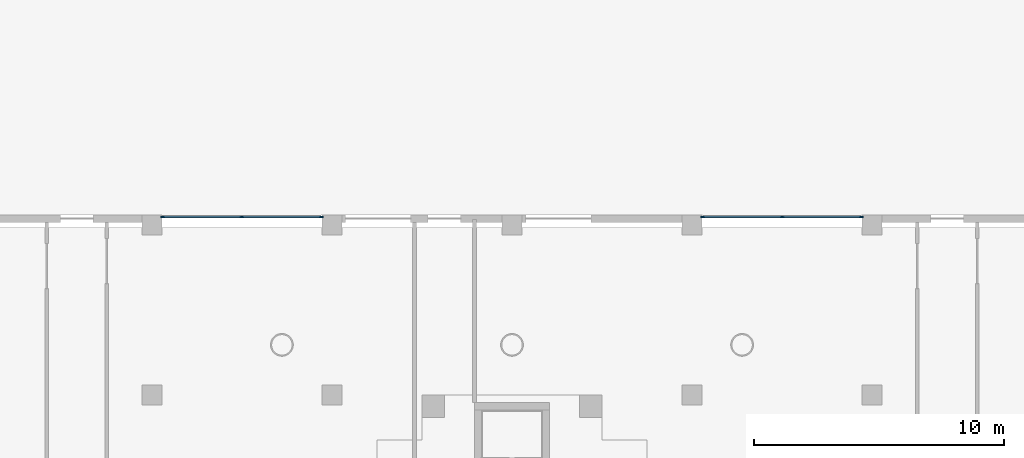
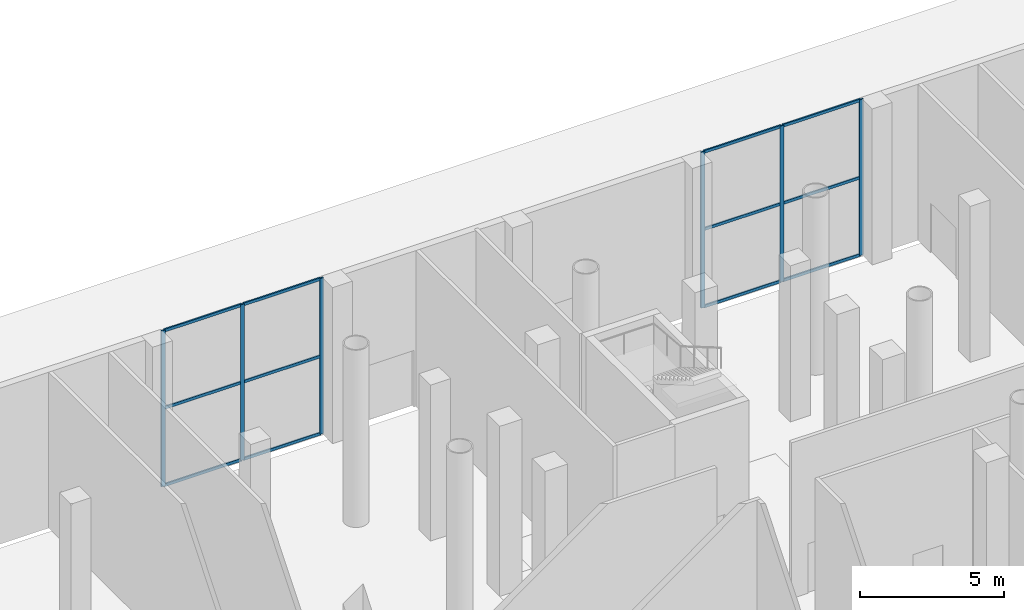
# One storey, part 10 of 44: 18 members, 2 elements without a shape of their own.
"""IFC4 building model written with IfcOpenShell, lengths in metres."""

from ifc_helpers import new_model, si_unit, direction, frame, origin, origin_2d, place, context, subcontext, project, spatial, rectangle, extrude, material, material_profile, profile_set, type_object, element, aggregate, save


model = new_model("IFC4")

# Units and contexts
model_context = context("Model", 3, precision=1e-05, world=origin(), true_north=direction((0.0, 1.0)))
body_context = subcontext(model_context, "Body", "Model", "MODEL_VIEW")
ifc_project = project(units=[si_unit("LENGTHUNIT", "METRE"), si_unit("AREAUNIT", "SQUARE_METRE"), si_unit("VOLUMEUNIT", "CUBIC_METRE"), si_unit("PLANEANGLEUNIT", "RADIAN"), si_unit("MASSUNIT", "GRAM", prefix="KILO")], contexts=[model_context])

# Site, building, storey
site_placement = place(None, origin())
site = spatial("IfcSite", under=ifc_project, at=site_placement, CompositionType="ELEMENT")
building_placement = place(site_placement, origin())
building = spatial("IfcBuilding", under=site, at=building_placement, Name="Fustian Cross Tower", CompositionType="ELEMENT")
storey_placement = place(building_placement, origin())
storey = spatial("IfcBuildingStorey", under=building, at=storey_placement, Name="L00", CompositionType="ELEMENT", Elevation=0.0)

# Curtain wall, members
ifc_material_1 = material(Name="Glass", Category="glass")
curtain_wall_type = type_object("IfcCurtainWallType", Name="CW3 CURTAIN WALL", PredefinedType="NOTDEFINED", material=ifc_material_1)
curtain_wall_1_placement = place(storey_placement, origin())
curtain_wall_1 = element("IfcCurtainWall", 1, at=curtain_wall_1_placement, inside=storey, type_object=curtain_wall_type, Name="Curtain wall CW3", PredefinedType="NOTDEFINED")
ifc_material_2 = material(Name="Aluminium alloy 6063", Category="aluminium")
ifc_material_profile_1 = material_profile(ifc_material_2, rectangle(XDim=0.06005859375, YDim=0.159912109375, at=origin_2d()), Name="CW3 MULLION 60x160")
ifc_profile_set_1 = profile_set([ifc_material_profile_1], Name="Aluminium alloy 6063")
member_type_1 = type_object("IfcMemberType", Name="CW3 MULLION 60x160", PredefinedType="MULLION", material=ifc_profile_set_1)
member_1_placement = place(storey_placement, frame((13.969970703125, 50.320068359375, 0.0), z_axis=(0.0, 0.0, 1.0), x_axis=(0.0, -1.0, 0.0)))
member_1 = element("IfcMember", 2, at=member_1_placement, type_object=member_type_1, Name="CW3 mullion 1", PredefinedType="MULLION", context=body_context, shape_type="SweptSolid", body=[
    extrude(rectangle(XDim=0.06005859375, YDim=0.159912109375, at=origin_2d()), origin(), (0.0, 0.0, 1.0), 6.60009765625),
])
member_2_placement = place(storey_placement, frame((10.800048828125, 50.320068359375, 0.0), z_axis=(0.0, 0.0, 1.0), x_axis=(0.0, -1.0, 0.0)))
member_2 = element("IfcMember", 3, at=member_2_placement, type_object=member_type_1, Name="CW3 mullion 2", PredefinedType="MULLION", context=body_context, shape_type="SweptSolid", body=[
    extrude(rectangle(XDim=0.06005859375, YDim=0.159912109375, at=origin_2d()), origin(), (0.0, 0.0, 1.0), 6.60009765625),
])
member_3_placement = place(storey_placement, frame((7.6298828125, 50.320068359375, 0.0), z_axis=(0.0, 0.0, 1.0), x_axis=(0.0, -1.0, 0.0)))
member_3 = element("IfcMember", 4, at=member_3_placement, type_object=member_type_1, Name="CW3 mullion 3", PredefinedType="MULLION", context=body_context, shape_type="SweptSolid", body=[
    extrude(rectangle(XDim=0.06005859375, YDim=0.159912109375, at=origin_2d()), origin(), (0.0, 0.0, 1.0), 6.60009765625),
])

curtain_wall_2_placement = place(storey_placement, origin())
curtain_wall_2 = element("IfcCurtainWall", 5, at=curtain_wall_2_placement, inside=storey, type_object=curtain_wall_type, Name="Curtain wall CW3", PredefinedType="NOTDEFINED")
member_4_placement = place(storey_placement, frame((-7.6298828125, 50.320068359375, 0.0), z_axis=(0.0, 0.0, 1.0), x_axis=(0.0, -1.0, 0.0)))
member_4 = element("IfcMember", 6, at=member_4_placement, type_object=member_type_1, Name="CW3 mullion 1", PredefinedType="MULLION", context=body_context, shape_type="SweptSolid", body=[
    extrude(rectangle(XDim=0.06005859375, YDim=0.159912109375, at=origin_2d()), origin(), (0.0, 0.0, 1.0), 6.60009765625),
])
member_5_placement = place(storey_placement, frame((-10.800048828125, 50.320068359375, 0.0), z_axis=(0.0, 0.0, 1.0), x_axis=(0.0, -1.0, 0.0)))
member_5 = element("IfcMember", 7, at=member_5_placement, type_object=member_type_1, Name="CW3 mullion 2", PredefinedType="MULLION", context=body_context, shape_type="SweptSolid", body=[
    extrude(rectangle(XDim=0.06005859375, YDim=0.159912109375, at=origin_2d()), origin(), (0.0, 0.0, 1.0), 6.60009765625),
])
member_6_placement = place(storey_placement, frame((-13.969970703125, 50.320068359375, 0.0), z_axis=(0.0, 0.0, 1.0), x_axis=(0.0, -1.0, 0.0)))
member_6 = element("IfcMember", 8, at=member_6_placement, type_object=member_type_1, Name="CW3 mullion 3", PredefinedType="MULLION", context=body_context, shape_type="SweptSolid", body=[
    extrude(rectangle(XDim=0.06005859375, YDim=0.159912109375, at=origin_2d()), origin(), (0.0, 0.0, 1.0), 6.60009765625),
])

# Member
ifc_material_3 = material(Name="Aluminium alloy 6063", Category="aluminium")
ifc_material_profile_2 = material_profile(ifc_material_3, rectangle(XDim=0.06005859375, YDim=0.1201171875, at=origin_2d()), Name="CW3 TRANSOM 60x120")
ifc_profile_set_2 = profile_set([ifc_material_profile_2], Name="Aluminium alloy 6063")
member_type_2 = type_object("IfcMemberType", Name="CW3 TRANSOM 60x120", PredefinedType="USERDEFINED", material=ifc_profile_set_2)
member_7_placement = place(storey_placement, frame((13.93994140625, 50.320068359375, 0.030029296875), z_axis=(-1.0, 0.0, 0.0), x_axis=(0.0, -1.0, 0.0)))
member_7 = element("IfcMember", 9, at=member_7_placement, type_object=member_type_2, Name="CW3 transom 1.1", ObjectType="TRANSOM", PredefinedType="USERDEFINED", context=body_context, shape_type="SweptSolid", body=[
    extrude(rectangle(XDim=0.06005859375, YDim=0.1201171875, at=origin_2d()), origin(), (0.0, 0.0, 1.0), 3.10986328125),
])

member_8_placement = place(storey_placement, frame((13.93994140625, 50.320068359375, 3.300048828125), z_axis=(-1.0, 0.0, 0.0), x_axis=(0.0, -1.0, 0.0)))
member_8 = element("IfcMember", 10, at=member_8_placement, type_object=member_type_2, Name="CW3 transom 1.2", ObjectType="TRANSOM", PredefinedType="USERDEFINED", context=body_context, shape_type="SweptSolid", body=[
    extrude(rectangle(XDim=0.06005859375, YDim=0.1201171875, at=origin_2d()), origin(), (0.0, 0.0, 1.0), 3.10986328125),
])

member_9_placement = place(storey_placement, frame((13.93994140625, 50.320068359375, 6.570068359375), z_axis=(-1.0, 0.0, 0.0), x_axis=(0.0, -1.0, 0.0)))
member_9 = element("IfcMember", 11, at=member_9_placement, type_object=member_type_2, Name="CW3 transom 1.3", ObjectType="TRANSOM", PredefinedType="USERDEFINED", context=body_context, shape_type="SweptSolid", body=[
    extrude(rectangle(XDim=0.06005859375, YDim=0.1201171875, at=origin_2d()), origin(), (0.0, 0.0, 1.0), 3.10986328125),
])

member_10_placement = place(storey_placement, frame((10.77001953125, 50.320068359375, 0.030029296875), z_axis=(-1.0, 0.0, 0.0), x_axis=(0.0, -1.0, 0.0)))
member_10 = element("IfcMember", 12, at=member_10_placement, type_object=member_type_2, Name="CW3 transom 2.1", ObjectType="TRANSOM", PredefinedType="USERDEFINED", context=body_context, shape_type="SweptSolid", body=[
    extrude(rectangle(XDim=0.06005859375, YDim=0.1201171875, at=origin_2d()), origin(), (0.0, 0.0, 1.0), 3.110107421875),
])

member_11_placement = place(storey_placement, frame((10.77001953125, 50.320068359375, 3.300048828125), z_axis=(-1.0, 0.0, 0.0), x_axis=(0.0, -1.0, 0.0)))
member_11 = element("IfcMember", 13, at=member_11_placement, type_object=member_type_2, Name="CW3 transom 2.2", ObjectType="TRANSOM", PredefinedType="USERDEFINED", context=body_context, shape_type="SweptSolid", body=[
    extrude(rectangle(XDim=0.06005859375, YDim=0.1201171875, at=origin_2d()), origin(), (0.0, 0.0, 1.0), 3.110107421875),
])

member_12_placement = place(storey_placement, frame((10.77001953125, 50.320068359375, 6.570068359375), z_axis=(-1.0, 0.0, 0.0), x_axis=(0.0, -1.0, 0.0)))
member_12 = element("IfcMember", 14, at=member_12_placement, type_object=member_type_2, Name="CW3 transom 2.3", ObjectType="TRANSOM", PredefinedType="USERDEFINED", context=body_context, shape_type="SweptSolid", body=[
    extrude(rectangle(XDim=0.06005859375, YDim=0.1201171875, at=origin_2d()), origin(), (0.0, 0.0, 1.0), 3.110107421875),
])

aggregate(curtain_wall_1, [member_1, member_2, member_3, member_7, member_8, member_9, member_10, member_11, member_12])

member_13_placement = place(storey_placement, frame((-7.659912109375, 50.320068359375, 0.030029296875), z_axis=(-1.0, 0.0, 0.0), x_axis=(0.0, -1.0, 0.0)))
member_13 = element("IfcMember", 15, at=member_13_placement, type_object=member_type_2, Name="CW3 transom 1.1", ObjectType="TRANSOM", PredefinedType="USERDEFINED", context=body_context, shape_type="SweptSolid", body=[
    extrude(rectangle(XDim=0.06005859375, YDim=0.1201171875, at=origin_2d()), origin(), (0.0, 0.0, 1.0), 3.110107421875),
])

member_14_placement = place(storey_placement, frame((-7.659912109375, 50.320068359375, 3.300048828125), z_axis=(-1.0, 0.0, 0.0), x_axis=(0.0, -1.0, 0.0)))
member_14 = element("IfcMember", 16, at=member_14_placement, type_object=member_type_2, Name="CW3 transom 1.2", ObjectType="TRANSOM", PredefinedType="USERDEFINED", context=body_context, shape_type="SweptSolid", body=[
    extrude(rectangle(XDim=0.06005859375, YDim=0.1201171875, at=origin_2d()), origin(), (0.0, 0.0, 1.0), 3.110107421875),
])

member_15_placement = place(storey_placement, frame((-7.659912109375, 50.320068359375, 6.570068359375), z_axis=(-1.0, 0.0, 0.0), x_axis=(0.0, -1.0, 0.0)))
member_15 = element("IfcMember", 17, at=member_15_placement, type_object=member_type_2, Name="CW3 transom 1.3", ObjectType="TRANSOM", PredefinedType="USERDEFINED", context=body_context, shape_type="SweptSolid", body=[
    extrude(rectangle(XDim=0.06005859375, YDim=0.1201171875, at=origin_2d()), origin(), (0.0, 0.0, 1.0), 3.110107421875),
])

member_16_placement = place(storey_placement, frame((-10.830078125, 50.320068359375, 0.030029296875), z_axis=(-1.0, 0.0, 0.0), x_axis=(0.0, -1.0, 0.0)))
member_16 = element("IfcMember", 18, at=member_16_placement, type_object=member_type_2, Name="CW3 transom 2.1", ObjectType="TRANSOM", PredefinedType="USERDEFINED", context=body_context, shape_type="SweptSolid", body=[
    extrude(rectangle(XDim=0.06005859375, YDim=0.1201171875, at=origin_2d()), origin(), (0.0, 0.0, 1.0), 3.10986328125),
])

member_17_placement = place(storey_placement, frame((-10.830078125, 50.320068359375, 3.300048828125), z_axis=(-1.0, 0.0, 0.0), x_axis=(0.0, -1.0, 0.0)))
member_17 = element("IfcMember", 19, at=member_17_placement, type_object=member_type_2, Name="CW3 transom 2.2", ObjectType="TRANSOM", PredefinedType="USERDEFINED", context=body_context, shape_type="SweptSolid", body=[
    extrude(rectangle(XDim=0.06005859375, YDim=0.1201171875, at=origin_2d()), origin(), (0.0, 0.0, 1.0), 3.10986328125),
])

member_18_placement = place(storey_placement, frame((-10.830078125, 50.320068359375, 6.570068359375), z_axis=(-1.0, 0.0, 0.0), x_axis=(0.0, -1.0, 0.0)))
member_18 = element("IfcMember", 20, at=member_18_placement, type_object=member_type_2, Name="CW3 transom 2.3", ObjectType="TRANSOM", PredefinedType="USERDEFINED", context=body_context, shape_type="SweptSolid", body=[
    extrude(rectangle(XDim=0.06005859375, YDim=0.1201171875, at=origin_2d()), origin(), (0.0, 0.0, 1.0), 3.10986328125),
])

aggregate(curtain_wall_2, [member_4, member_5, member_6, member_13, member_14, member_15, member_16, member_17, member_18])

save(model, "model.ifc")
